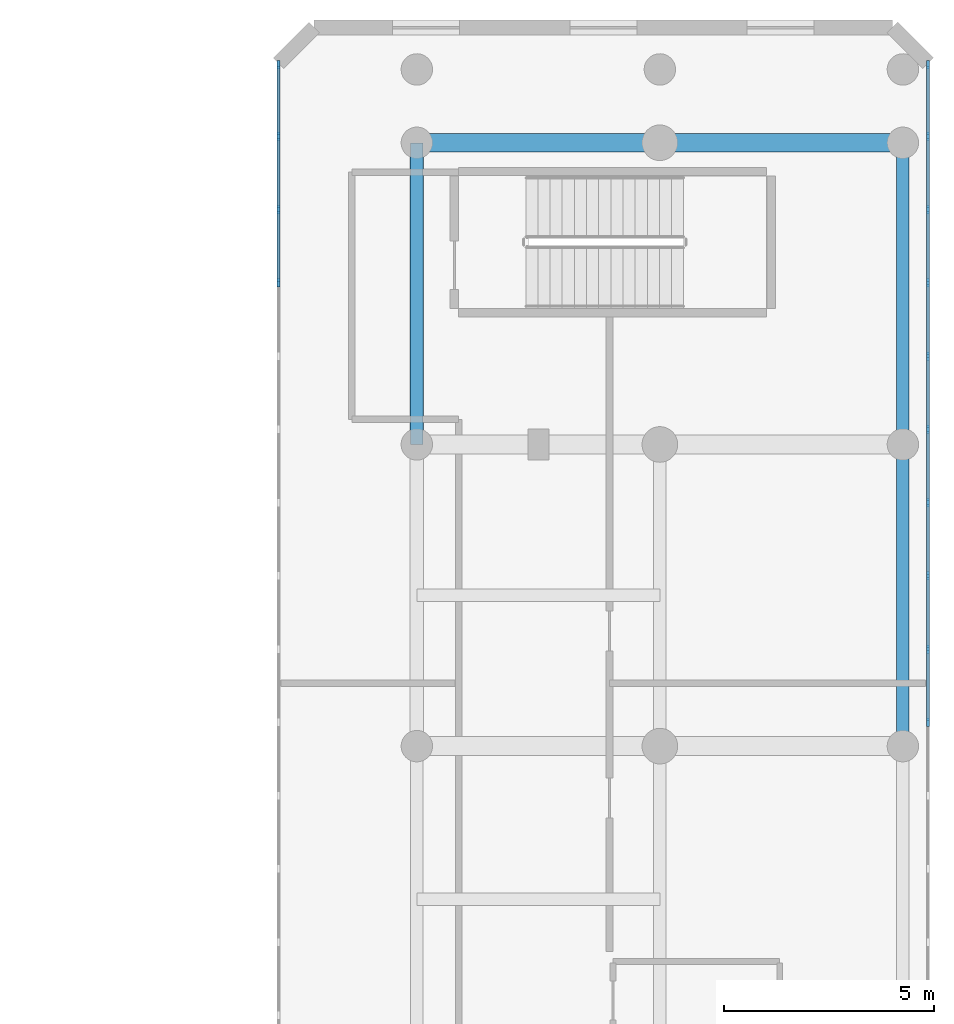
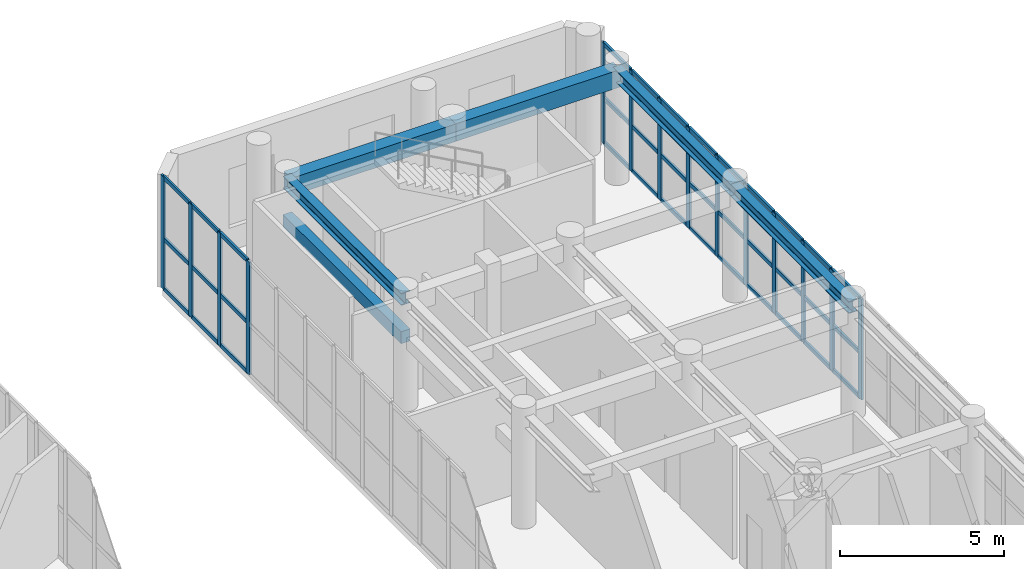
# One storey, part 9 of 26: 50 members, 6 beams, 2 elements without a shape of their own.
"""IFC4 building model written with IfcOpenShell, lengths in metres."""

from ifc_helpers import new_model, si_unit, direction, frame, origin, origin_with_axes, origin_2d, place, context, subcontext, project, spatial, rectangle, i_section, extrude, source, transform, mapped, material, layer, layer_set, material_profile, profile_set, type_object, element, aggregate, save


model = new_model("IFC4")

# Units and contexts
model_context = context("Model", 3, precision=1e-05, world=origin(), true_north=direction((0.0, 1.0)))
body_context = subcontext(model_context, "Body", "Model", "MODEL_VIEW")
ifc_project = project(units=[si_unit("LENGTHUNIT", "METRE"), si_unit("AREAUNIT", "SQUARE_METRE"), si_unit("VOLUMEUNIT", "CUBIC_METRE"), si_unit("PLANEANGLEUNIT", "RADIAN"), si_unit("MASSUNIT", "GRAM", prefix="KILO")], contexts=[model_context])

# Site, building, storey
site_placement = place(None, origin())
site = spatial("IfcSite", under=ifc_project, at=site_placement, CompositionType="ELEMENT")
building_placement = place(site_placement, origin())
building = spatial("IfcBuilding", under=site, at=building_placement, Name="Karkom Vertical University and Central Library", CompositionType="ELEMENT")
storey_placement = place(building_placement, frame((0.0, 0.0, 4.5)))
storey = spatial("IfcBuildingStorey", under=building, at=storey_placement, Name="L01", CompositionType="ELEMENT", Elevation=4.5)

# Beams
ifc_material_1 = material(Name="Concrete C40/50", Category="concrete")
ifc_material_profile_1 = material_profile(ifc_material_1, rectangle(XDim=0.449951171875, YDim=0.64990234375, at=origin_2d()), Name="RCB-450x650")
ifc_profile_set_1 = profile_set([ifc_material_profile_1], Name="Concrete C40/50")
beam_type_1 = type_object("IfcBeamType", Name="STR-BM-BG-4", PredefinedType="USERDEFINED", material=ifc_profile_set_1)
shared_shape_1 = source(origin_with_axes(), body_context, "Body", "SweptSolid", [
    extrude(rectangle(XDim=0.449951171875, YDim=0.64990234375, at=origin_2d()), origin(), (0.0, 0.0, 1.0), 5.7998046875),
])
beam_1_placement = place(storey_placement, frame((69.60009765625, 48.199951171875, 3.875), z_axis=(1.0, 0.0, 0.0), x_axis=(0.0, 1.0, 0.0)))
element("IfcBeam", 1, at=beam_1_placement, inside=storey, type_object=beam_type_1, Name="Level 01 Library Transverse Girder 7.1", ObjectType="GIRDER", PredefinedType="USERDEFINED", context=body_context, shape_type="MappedRepresentation", body=[
    mapped(shared_shape_1, transform((0.0, 0.0, 0.0), scale=1.0)),
])
shared_shape_2 = source(origin_with_axes(), body_context, "Body", "SweptSolid", [
    extrude(rectangle(XDim=0.449951171875, YDim=0.64990234375, at=origin_2d()), origin(), (0.0, 0.0, 1.0), 5.800048828125),
])
beam_2_placement = place(storey_placement, frame((75.39990234375, 48.199951171875, 3.875), z_axis=(1.0, 0.0, 0.0), x_axis=(0.0, 1.0, 0.0)))
element("IfcBeam", 2, at=beam_2_placement, inside=storey, type_object=beam_type_1, Name="Level 01 Library Transverse Girder 7.2", ObjectType="GIRDER", PredefinedType="USERDEFINED", context=body_context, shape_type="MappedRepresentation", body=[
    mapped(shared_shape_2, transform((0.0, 0.0, 0.0), scale=1.0)),
])
ifc_material_2 = material(Name="Steel S355", Category="steel")
ifc_material_profile_2 = material_profile(ifc_material_2, i_section(OverallWidth=0.300048828125, OverallDepth=0.449951171875, WebThickness=0.013916015625, FlangeThickness=0.02587890625, FilletRadius=0.027099609375, at=origin_2d()), Name="HE 450 B")
ifc_profile_set_2 = profile_set([ifc_material_profile_2], Name="Steel S355")
beam_type_2 = type_object("IfcBeamType", Name="STR-BM-SB-HE450", PredefinedType="BEAM", material=ifc_profile_set_2)
shared_shape_3 = source(origin_with_axes(), body_context, "Body", "SweptSolid", [
    extrude(i_section(OverallWidth=0.300048828125, OverallDepth=0.449951171875, WebThickness=0.013916015625, FlangeThickness=0.02587890625, FilletRadius=0.027099609375, at=origin_2d()), origin(), (0.0, 0.0, 1.0), 7.199951171875),
])
for number, where, z_axis, x_axis, name in (
    (3, (69.60009765625, 41.0, 3.97509765625), (0.0, 1.0, 0.0), (-1.0, 0.0, 0.0), "Level 01 Library Longitudinal Beam 1.6"),
    (4, (81.199951171875, 33.800048828125, 3.97509765625), (0.0, 1.0, 0.0), (-1.0, 0.0, 0.0), "Level 01 Library Longitudinal Beam 3.5"),
    (5, (81.199951171875, 41.0, 3.97509765625), (0.0, 1.0, 0.0), (-1.0, 0.0, 0.0), "Level 01 Library Longitudinal Beam 3.6"),
):
    element("IfcBeam", number, at=place(storey_placement, frame(where, z_axis=z_axis, x_axis=x_axis)), inside=storey, type_object=beam_type_2, Name=name, PredefinedType="BEAM", context=body_context, shape_type="MappedRepresentation", body=[
        mapped(shared_shape_3, transform((0.0, 0.0, 0.0), scale=1.0)),
    ])
ifc_material_3 = material(Name="Precast concrete C45/55", Category="concrete")
ifc_material_profile_3 = material_profile(ifc_material_3, rectangle(XDim=0.320068359375, YDim=0.449951171875, at=origin_2d()), Name="RCL-320x450")
ifc_profile_set_3 = profile_set([ifc_material_profile_3], Name="Precast concrete C45/55")
beam_type_3 = type_object("IfcBeamType", Name="STR-BM-LN-1", PredefinedType="LINTEL", material=ifc_profile_set_3)
shared_shape_4 = source(origin_with_axes(), body_context, "Body", "SweptSolid", [
    extrude(rectangle(XDim=0.320068359375, YDim=0.449951171875, at=origin_2d()), origin(), (0.0, 0.0, 1.0), 7.199951171875),
])
beam_3_placement = place(storey_placement, frame((69.60009765625, 41.0, 2.550048828125), z_axis=(0.0, 1.0, 0.0), x_axis=(-1.0, 0.0, 0.0)))
element("IfcBeam", 6, at=beam_3_placement, inside=storey, type_object=beam_type_3, Name="Level 01 Brutalist Concrete Portal Lintel 4", PredefinedType="LINTEL", context=body_context, shape_type="MappedRepresentation", body=[
    mapped(shared_shape_4, transform((0.0, 0.0, 0.0), scale=1.0)),
])

# Curtain wall, members
ifc_material_4 = material(Name="Aluminium curtain-wall framing and low-E IGU", Category="aluminium")
ifc_layer = layer(ifc_material_4, 0.199951171875)
ifc_layer_set = layer_set([ifc_layer], Name="Aluminium curtain-wall framing and low-E IGU")
curtain_wall_type = type_object("IfcCurtainWallType", Name="ENV-CW-1", PredefinedType="USERDEFINED", material=ifc_layer_set)
curtain_wall_1_placement = place(storey_placement, origin())
curtain_wall_1 = element("IfcCurtainWall", 7, at=curtain_wall_1_placement, inside=storey, type_object=curtain_wall_type, Name="Level 01 CW-1 Curtain Wall Level 01-CW-1-LIB-3", ObjectType="STICK MULLION GLAZING", PredefinedType="USERDEFINED")
ifc_material_5 = material(Name="Anodised Aluminium 6063-T6", Category="aluminium")
ifc_material_profile_4 = material_profile(ifc_material_5, rectangle(XDim=0.070068359375, YDim=0.199951171875, at=origin_2d()), Name="ALU-M70x200")
ifc_profile_set_4 = profile_set([ifc_material_profile_4], Name="Anodised Aluminium 6063-T6")
member_type_1 = type_object("IfcMemberType", Name="ENV-MEM-ALU-M70x200", PredefinedType="MULLION", material=ifc_profile_set_4)
shared_shape_5 = source(origin_with_axes(), body_context, "Body", "SweptSolid", [
    extrude(rectangle(XDim=0.070068359375, YDim=0.199951171875, at=origin_2d()), origin(), (0.0, 0.0, 1.0), 3.75),
])
member_1_placement = place(storey_placement, frame((81.800048828125, 34.36669921875, 0.0), z_axis=(0.0, 0.0, 1.0), x_axis=(-1.0, 0.0, 0.0)))
member_1 = element("IfcMember", 8, at=member_1_placement, type_object=member_type_1, Name="CW-1 mullion 19", PredefinedType="MULLION", context=body_context, shape_type="MappedRepresentation", body=[
    mapped(shared_shape_5, transform((0.0, 0.0, 0.0), scale=1.0)),
])
member_2_placement = place(storey_placement, frame((81.800048828125, 36.11474609375, 0.0), z_axis=(0.0, 0.0, 1.0), x_axis=(-1.0, 0.0, 0.0)))
member_2 = element("IfcMember", 9, at=member_2_placement, type_object=member_type_1, Name="CW-1 mullion 20", PredefinedType="MULLION", context=body_context, shape_type="MappedRepresentation", body=[
    mapped(shared_shape_5, transform((0.0, 0.0, 0.0), scale=1.0)),
])
member_3_placement = place(storey_placement, frame((81.800048828125, 37.863037109375, 0.0), z_axis=(0.0, 0.0, 1.0), x_axis=(-1.0, 0.0, 0.0)))
member_3 = element("IfcMember", 10, at=member_3_placement, type_object=member_type_1, Name="CW-1 mullion 21", PredefinedType="MULLION", context=body_context, shape_type="MappedRepresentation", body=[
    mapped(shared_shape_5, transform((0.0, 0.0, 0.0), scale=1.0)),
])
member_4_placement = place(storey_placement, frame((81.800048828125, 39.611083984375, 0.0), z_axis=(0.0, 0.0, 1.0), x_axis=(-1.0, 0.0, 0.0)))
member_4 = element("IfcMember", 11, at=member_4_placement, type_object=member_type_1, Name="CW-1 mullion 22", PredefinedType="MULLION", context=body_context, shape_type="MappedRepresentation", body=[
    mapped(shared_shape_5, transform((0.0, 0.0, 0.0), scale=1.0)),
])
member_5_placement = place(storey_placement, frame((81.800048828125, 41.359375, 0.0), z_axis=(0.0, 0.0, 1.0), x_axis=(-1.0, 0.0, 0.0)))
member_5 = element("IfcMember", 12, at=member_5_placement, type_object=member_type_1, Name="CW-1 mullion 23", PredefinedType="MULLION", context=body_context, shape_type="MappedRepresentation", body=[
    mapped(shared_shape_5, transform((0.0, 0.0, 0.0), scale=1.0)),
])
member_6_placement = place(storey_placement, frame((81.800048828125, 43.107421875, 0.0), z_axis=(0.0, 0.0, 1.0), x_axis=(-1.0, 0.0, 0.0)))
member_6 = element("IfcMember", 13, at=member_6_placement, type_object=member_type_1, Name="CW-1 mullion 24", PredefinedType="MULLION", context=body_context, shape_type="MappedRepresentation", body=[
    mapped(shared_shape_5, transform((0.0, 0.0, 0.0), scale=1.0)),
])
member_7_placement = place(storey_placement, frame((81.800048828125, 44.85546875, 0.0), z_axis=(0.0, 0.0, 1.0), x_axis=(-1.0, 0.0, 0.0)))
member_7 = element("IfcMember", 14, at=member_7_placement, type_object=member_type_1, Name="CW-1 mullion 25", PredefinedType="MULLION", context=body_context, shape_type="MappedRepresentation", body=[
    mapped(shared_shape_5, transform((0.0, 0.0, 0.0), scale=1.0)),
])
member_8_placement = place(storey_placement, frame((81.800048828125, 46.603759765625, 0.0), z_axis=(0.0, 0.0, 1.0), x_axis=(-1.0, 0.0, 0.0)))
member_8 = element("IfcMember", 15, at=member_8_placement, type_object=member_type_1, Name="CW-1 mullion 26", PredefinedType="MULLION", context=body_context, shape_type="MappedRepresentation", body=[
    mapped(shared_shape_5, transform((0.0, 0.0, 0.0), scale=1.0)),
])
member_9_placement = place(storey_placement, frame((81.800048828125, 48.351806640625, 0.0), z_axis=(0.0, 0.0, 1.0), x_axis=(-1.0, 0.0, 0.0)))
member_9 = element("IfcMember", 16, at=member_9_placement, type_object=member_type_1, Name="CW-1 mullion 27", PredefinedType="MULLION", context=body_context, shape_type="MappedRepresentation", body=[
    mapped(shared_shape_5, transform((0.0, 0.0, 0.0), scale=1.0)),
])
member_10_placement = place(storey_placement, frame((81.800048828125, 50.06494140625, 0.0), z_axis=(0.0, 0.0, 1.0), x_axis=(-1.0, 0.0, 0.0)))
member_10 = element("IfcMember", 17, at=member_10_placement, type_object=member_type_1, Name="CW-1 mullion 28", PredefinedType="MULLION", context=body_context, shape_type="MappedRepresentation", body=[
    mapped(shared_shape_5, transform((0.0, 0.0, 0.0), scale=1.0)),
])

curtain_wall_2_placement = place(storey_placement, origin())
curtain_wall_2 = element("IfcCurtainWall", 18, at=curtain_wall_2_placement, inside=storey, type_object=curtain_wall_type, Name="Level 01 CW-1 Curtain Wall Level 01-CW-1-LIB-7", ObjectType="STICK MULLION GLAZING", PredefinedType="USERDEFINED")
shared_shape_6 = source(origin_with_axes(), body_context, "Body", "SweptSolid", [
    extrude(rectangle(XDim=0.070068359375, YDim=0.199951171875, at=origin_2d()), origin(), (0.0, 0.0, 1.0), 4.199951171875),
])
member_11_placement = place(storey_placement, frame((66.300048828125, 50.06494140625, 0.0), z_axis=(0.0, 0.0, 1.0), x_axis=(1.0, 0.0, 0.0)))
member_11 = element("IfcMember", 19, at=member_11_placement, type_object=member_type_1, Name="CW-1 mullion 1", PredefinedType="MULLION", context=body_context, shape_type="MappedRepresentation", body=[
    mapped(shared_shape_6, transform((0.0, 0.0, 0.0), scale=1.0)),
])
member_12_placement = place(storey_placement, frame((66.300048828125, 48.351806640625, 0.0), z_axis=(0.0, 0.0, 1.0), x_axis=(1.0, 0.0, 0.0)))
member_12 = element("IfcMember", 20, at=member_12_placement, type_object=member_type_1, Name="CW-1 mullion 2", PredefinedType="MULLION", context=body_context, shape_type="MappedRepresentation", body=[
    mapped(shared_shape_6, transform((0.0, 0.0, 0.0), scale=1.0)),
])
member_13_placement = place(storey_placement, frame((66.300048828125, 46.603759765625, 0.0), z_axis=(0.0, 0.0, 1.0), x_axis=(1.0, 0.0, 0.0)))
member_13 = element("IfcMember", 21, at=member_13_placement, type_object=member_type_1, Name="CW-1 mullion 3", PredefinedType="MULLION", context=body_context, shape_type="MappedRepresentation", body=[
    mapped(shared_shape_6, transform((0.0, 0.0, 0.0), scale=1.0)),
])
member_14_placement = place(storey_placement, frame((66.300048828125, 44.85546875, 0.0), z_axis=(0.0, 0.0, 1.0), x_axis=(1.0, 0.0, 0.0)))
member_14 = element("IfcMember", 22, at=member_14_placement, type_object=member_type_1, Name="CW-1 mullion 4", PredefinedType="MULLION", context=body_context, shape_type="MappedRepresentation", body=[
    mapped(shared_shape_6, transform((0.0, 0.0, 0.0), scale=1.0)),
])

# Member
ifc_material_profile_5 = material_profile(ifc_material_5, rectangle(XDim=0.070068359375, YDim=0.14990234375, at=origin_2d()), Name="ALU-T70x150")
ifc_profile_set_5 = profile_set([ifc_material_profile_5], Name="Anodised Aluminium 6063-T6")
member_type_2 = type_object("IfcMemberType", Name="ENV-MEM-ALU-T70x150", PredefinedType="USERDEFINED", material=ifc_profile_set_5)
shared_shape_7 = source(origin_with_axes(), body_context, "Body", "SweptSolid", [
    extrude(rectangle(XDim=0.070068359375, YDim=0.14990234375, at=origin_2d()), origin(), (0.0, 0.0, 1.0), 1.64306640625),
])
member_15_placement = place(storey_placement, frame((81.800048828125, 48.386962890625, 0.034912109375), z_axis=(0.0, 1.0, 0.0), x_axis=(-1.0, 0.0, 0.0)))
member_15 = element("IfcMember", 23, at=member_15_placement, type_object=member_type_2, Name="CW-1 transom 27.1", ObjectType="TRANSOM", PredefinedType="USERDEFINED", context=body_context, shape_type="MappedRepresentation", body=[
    mapped(shared_shape_7, transform((0.0, 0.0, 0.0), scale=1.0)),
])

member_16_placement = place(storey_placement, frame((81.800048828125, 48.386962890625, 1.6875), z_axis=(0.0, 1.0, 0.0), x_axis=(-1.0, 0.0, 0.0)))
member_16 = element("IfcMember", 24, at=member_16_placement, type_object=member_type_2, Name="CW-1 transom 27.2", ObjectType="TRANSOM", PredefinedType="USERDEFINED", context=body_context, shape_type="MappedRepresentation", body=[
    mapped(shared_shape_7, transform((0.0, 0.0, 0.0), scale=1.0)),
])

member_17_placement = place(storey_placement, frame((81.800048828125, 48.386962890625, 3.715087890625), z_axis=(0.0, 1.0, 0.0), x_axis=(-1.0, 0.0, 0.0)))
member_17 = element("IfcMember", 25, at=member_17_placement, type_object=member_type_2, Name="CW-1 transom 27.3", ObjectType="TRANSOM", PredefinedType="USERDEFINED", context=body_context, shape_type="MappedRepresentation", body=[
    mapped(shared_shape_7, transform((0.0, 0.0, 0.0), scale=1.0)),
])

member_18_placement = place(storey_placement, frame((66.300048828125, 50.030029296875, 0.034912109375), z_axis=(0.0, -1.0, 0.0), x_axis=(1.0, 0.0, 0.0)))
member_18 = element("IfcMember", 26, at=member_18_placement, type_object=member_type_2, Name="CW-1 transom 1.1", ObjectType="TRANSOM", PredefinedType="USERDEFINED", context=body_context, shape_type="MappedRepresentation", body=[
    mapped(shared_shape_7, transform((0.0, 0.0, 0.0), scale=1.0)),
])

member_19_placement = place(storey_placement, frame((66.300048828125, 50.030029296875, 1.889892578125), z_axis=(0.0, -1.0, 0.0), x_axis=(1.0, 0.0, 0.0)))
member_19 = element("IfcMember", 27, at=member_19_placement, type_object=member_type_2, Name="CW-1 transom 1.2", ObjectType="TRANSOM", PredefinedType="USERDEFINED", context=body_context, shape_type="MappedRepresentation", body=[
    mapped(shared_shape_7, transform((0.0, 0.0, 0.0), scale=1.0)),
])

member_20_placement = place(storey_placement, frame((66.300048828125, 50.030029296875, 4.1650390625), z_axis=(0.0, -1.0, 0.0), x_axis=(1.0, 0.0, 0.0)))
member_20 = element("IfcMember", 28, at=member_20_placement, type_object=member_type_2, Name="CW-1 transom 1.3", ObjectType="TRANSOM", PredefinedType="USERDEFINED", context=body_context, shape_type="MappedRepresentation", body=[
    mapped(shared_shape_7, transform((0.0, 0.0, 0.0), scale=1.0)),
])

shared_shape_8 = source(origin_with_axes(), body_context, "Body", "SweptSolid", [
    extrude(rectangle(XDim=0.070068359375, YDim=0.14990234375, at=origin_2d()), origin(), (0.0, 0.0, 1.0), 1.67822265625),
])
member_21_placement = place(storey_placement, frame((81.800048828125, 34.401611328125, 0.034912109375), z_axis=(0.0, 1.0, 0.0), x_axis=(-1.0, 0.0, 0.0)))
member_21 = element("IfcMember", 29, at=member_21_placement, type_object=member_type_2, Name="CW-1 transom 19.1", ObjectType="TRANSOM", PredefinedType="USERDEFINED", context=body_context, shape_type="MappedRepresentation", body=[
    mapped(shared_shape_8, transform((0.0, 0.0, 0.0), scale=1.0)),
])

member_22_placement = place(storey_placement, frame((81.800048828125, 34.401611328125, 1.6875), z_axis=(0.0, 1.0, 0.0), x_axis=(-1.0, 0.0, 0.0)))
member_22 = element("IfcMember", 30, at=member_22_placement, type_object=member_type_2, Name="CW-1 transom 19.2", ObjectType="TRANSOM", PredefinedType="USERDEFINED", context=body_context, shape_type="MappedRepresentation", body=[
    mapped(shared_shape_8, transform((0.0, 0.0, 0.0), scale=1.0)),
])

member_23_placement = place(storey_placement, frame((81.800048828125, 34.401611328125, 3.715087890625), z_axis=(0.0, 1.0, 0.0), x_axis=(-1.0, 0.0, 0.0)))
member_23 = element("IfcMember", 31, at=member_23_placement, type_object=member_type_2, Name="CW-1 transom 19.3", ObjectType="TRANSOM", PredefinedType="USERDEFINED", context=body_context, shape_type="MappedRepresentation", body=[
    mapped(shared_shape_8, transform((0.0, 0.0, 0.0), scale=1.0)),
])

member_24_placement = place(storey_placement, frame((81.800048828125, 37.89794921875, 0.034912109375), z_axis=(0.0, 1.0, 0.0), x_axis=(-1.0, 0.0, 0.0)))
member_24 = element("IfcMember", 32, at=member_24_placement, type_object=member_type_2, Name="CW-1 transom 21.1", ObjectType="TRANSOM", PredefinedType="USERDEFINED", context=body_context, shape_type="MappedRepresentation", body=[
    mapped(shared_shape_8, transform((0.0, 0.0, 0.0), scale=1.0)),
])

member_25_placement = place(storey_placement, frame((81.800048828125, 37.89794921875, 1.6875), z_axis=(0.0, 1.0, 0.0), x_axis=(-1.0, 0.0, 0.0)))
member_25 = element("IfcMember", 33, at=member_25_placement, type_object=member_type_2, Name="CW-1 transom 21.2", ObjectType="TRANSOM", PredefinedType="USERDEFINED", context=body_context, shape_type="MappedRepresentation", body=[
    mapped(shared_shape_8, transform((0.0, 0.0, 0.0), scale=1.0)),
])

member_26_placement = place(storey_placement, frame((81.800048828125, 37.89794921875, 3.715087890625), z_axis=(0.0, 1.0, 0.0), x_axis=(-1.0, 0.0, 0.0)))
member_26 = element("IfcMember", 34, at=member_26_placement, type_object=member_type_2, Name="CW-1 transom 21.3", ObjectType="TRANSOM", PredefinedType="USERDEFINED", context=body_context, shape_type="MappedRepresentation", body=[
    mapped(shared_shape_8, transform((0.0, 0.0, 0.0), scale=1.0)),
])

member_27_placement = place(storey_placement, frame((81.800048828125, 39.64599609375, 0.034912109375), z_axis=(0.0, 1.0, 0.0), x_axis=(-1.0, 0.0, 0.0)))
member_27 = element("IfcMember", 35, at=member_27_placement, type_object=member_type_2, Name="CW-1 transom 22.1", ObjectType="TRANSOM", PredefinedType="USERDEFINED", context=body_context, shape_type="MappedRepresentation", body=[
    mapped(shared_shape_8, transform((0.0, 0.0, 0.0), scale=1.0)),
])

member_28_placement = place(storey_placement, frame((81.800048828125, 39.64599609375, 1.6875), z_axis=(0.0, 1.0, 0.0), x_axis=(-1.0, 0.0, 0.0)))
member_28 = element("IfcMember", 36, at=member_28_placement, type_object=member_type_2, Name="CW-1 transom 22.2", ObjectType="TRANSOM", PredefinedType="USERDEFINED", context=body_context, shape_type="MappedRepresentation", body=[
    mapped(shared_shape_8, transform((0.0, 0.0, 0.0), scale=1.0)),
])

member_29_placement = place(storey_placement, frame((81.800048828125, 39.64599609375, 3.715087890625), z_axis=(0.0, 1.0, 0.0), x_axis=(-1.0, 0.0, 0.0)))
member_29 = element("IfcMember", 37, at=member_29_placement, type_object=member_type_2, Name="CW-1 transom 22.3", ObjectType="TRANSOM", PredefinedType="USERDEFINED", context=body_context, shape_type="MappedRepresentation", body=[
    mapped(shared_shape_8, transform((0.0, 0.0, 0.0), scale=1.0)),
])

member_30_placement = place(storey_placement, frame((81.800048828125, 41.394287109375, 0.034912109375), z_axis=(0.0, 1.0, 0.0), x_axis=(-1.0, 0.0, 0.0)))
member_30 = element("IfcMember", 38, at=member_30_placement, type_object=member_type_2, Name="CW-1 transom 23.1", ObjectType="TRANSOM", PredefinedType="USERDEFINED", context=body_context, shape_type="MappedRepresentation", body=[
    mapped(shared_shape_8, transform((0.0, 0.0, 0.0), scale=1.0)),
])

member_31_placement = place(storey_placement, frame((81.800048828125, 41.394287109375, 1.6875), z_axis=(0.0, 1.0, 0.0), x_axis=(-1.0, 0.0, 0.0)))
member_31 = element("IfcMember", 39, at=member_31_placement, type_object=member_type_2, Name="CW-1 transom 23.2", ObjectType="TRANSOM", PredefinedType="USERDEFINED", context=body_context, shape_type="MappedRepresentation", body=[
    mapped(shared_shape_8, transform((0.0, 0.0, 0.0), scale=1.0)),
])

member_32_placement = place(storey_placement, frame((81.800048828125, 41.394287109375, 3.715087890625), z_axis=(0.0, 1.0, 0.0), x_axis=(-1.0, 0.0, 0.0)))
member_32 = element("IfcMember", 40, at=member_32_placement, type_object=member_type_2, Name="CW-1 transom 23.3", ObjectType="TRANSOM", PredefinedType="USERDEFINED", context=body_context, shape_type="MappedRepresentation", body=[
    mapped(shared_shape_8, transform((0.0, 0.0, 0.0), scale=1.0)),
])

member_33_placement = place(storey_placement, frame((81.800048828125, 43.142333984375, 0.034912109375), z_axis=(0.0, 1.0, 0.0), x_axis=(-1.0, 0.0, 0.0)))
member_33 = element("IfcMember", 41, at=member_33_placement, type_object=member_type_2, Name="CW-1 transom 24.1", ObjectType="TRANSOM", PredefinedType="USERDEFINED", context=body_context, shape_type="MappedRepresentation", body=[
    mapped(shared_shape_8, transform((0.0, 0.0, 0.0), scale=1.0)),
])

member_34_placement = place(storey_placement, frame((81.800048828125, 43.142333984375, 1.6875), z_axis=(0.0, 1.0, 0.0), x_axis=(-1.0, 0.0, 0.0)))
member_34 = element("IfcMember", 42, at=member_34_placement, type_object=member_type_2, Name="CW-1 transom 24.2", ObjectType="TRANSOM", PredefinedType="USERDEFINED", context=body_context, shape_type="MappedRepresentation", body=[
    mapped(shared_shape_8, transform((0.0, 0.0, 0.0), scale=1.0)),
])

member_35_placement = place(storey_placement, frame((81.800048828125, 43.142333984375, 3.715087890625), z_axis=(0.0, 1.0, 0.0), x_axis=(-1.0, 0.0, 0.0)))
member_35 = element("IfcMember", 43, at=member_35_placement, type_object=member_type_2, Name="CW-1 transom 24.3", ObjectType="TRANSOM", PredefinedType="USERDEFINED", context=body_context, shape_type="MappedRepresentation", body=[
    mapped(shared_shape_8, transform((0.0, 0.0, 0.0), scale=1.0)),
])

member_36_placement = place(storey_placement, frame((81.800048828125, 46.638671875, 0.034912109375), z_axis=(0.0, 1.0, 0.0), x_axis=(-1.0, 0.0, 0.0)))
member_36 = element("IfcMember", 44, at=member_36_placement, type_object=member_type_2, Name="CW-1 transom 26.1", ObjectType="TRANSOM", PredefinedType="USERDEFINED", context=body_context, shape_type="MappedRepresentation", body=[
    mapped(shared_shape_8, transform((0.0, 0.0, 0.0), scale=1.0)),
])

member_37_placement = place(storey_placement, frame((81.800048828125, 46.638671875, 1.6875), z_axis=(0.0, 1.0, 0.0), x_axis=(-1.0, 0.0, 0.0)))
member_37 = element("IfcMember", 45, at=member_37_placement, type_object=member_type_2, Name="CW-1 transom 26.2", ObjectType="TRANSOM", PredefinedType="USERDEFINED", context=body_context, shape_type="MappedRepresentation", body=[
    mapped(shared_shape_8, transform((0.0, 0.0, 0.0), scale=1.0)),
])

member_38_placement = place(storey_placement, frame((81.800048828125, 46.638671875, 3.715087890625), z_axis=(0.0, 1.0, 0.0), x_axis=(-1.0, 0.0, 0.0)))
member_38 = element("IfcMember", 46, at=member_38_placement, type_object=member_type_2, Name="CW-1 transom 26.3", ObjectType="TRANSOM", PredefinedType="USERDEFINED", context=body_context, shape_type="MappedRepresentation", body=[
    mapped(shared_shape_8, transform((0.0, 0.0, 0.0), scale=1.0)),
])

member_39_placement = place(storey_placement, frame((66.300048828125, 48.31689453125, 0.034912109375), z_axis=(0.0, -1.0, 0.0), x_axis=(1.0, 0.0, 0.0)))
member_39 = element("IfcMember", 47, at=member_39_placement, type_object=member_type_2, Name="CW-1 transom 2.1", ObjectType="TRANSOM", PredefinedType="USERDEFINED", context=body_context, shape_type="MappedRepresentation", body=[
    mapped(shared_shape_8, transform((0.0, 0.0, 0.0), scale=1.0)),
])

member_40_placement = place(storey_placement, frame((66.300048828125, 48.31689453125, 1.889892578125), z_axis=(0.0, -1.0, 0.0), x_axis=(1.0, 0.0, 0.0)))
member_40 = element("IfcMember", 48, at=member_40_placement, type_object=member_type_2, Name="CW-1 transom 2.2", ObjectType="TRANSOM", PredefinedType="USERDEFINED", context=body_context, shape_type="MappedRepresentation", body=[
    mapped(shared_shape_8, transform((0.0, 0.0, 0.0), scale=1.0)),
])

member_41_placement = place(storey_placement, frame((66.300048828125, 48.31689453125, 4.1650390625), z_axis=(0.0, -1.0, 0.0), x_axis=(1.0, 0.0, 0.0)))
member_41 = element("IfcMember", 49, at=member_41_placement, type_object=member_type_2, Name="CW-1 transom 2.3", ObjectType="TRANSOM", PredefinedType="USERDEFINED", context=body_context, shape_type="MappedRepresentation", body=[
    mapped(shared_shape_8, transform((0.0, 0.0, 0.0), scale=1.0)),
])

shared_shape_9 = source(origin_with_axes(), body_context, "Body", "SweptSolid", [
    extrude(rectangle(XDim=0.070068359375, YDim=0.14990234375, at=origin_2d()), origin(), (0.0, 0.0, 1.0), 1.677978515625),
])
member_42_placement = place(storey_placement, frame((81.800048828125, 36.14990234375, 0.034912109375), z_axis=(0.0, 1.0, 0.0), x_axis=(-1.0, 0.0, 0.0)))
member_42 = element("IfcMember", 50, at=member_42_placement, type_object=member_type_2, Name="CW-1 transom 20.1", ObjectType="TRANSOM", PredefinedType="USERDEFINED", context=body_context, shape_type="MappedRepresentation", body=[
    mapped(shared_shape_9, transform((0.0, 0.0, 0.0), scale=1.0)),
])

member_43_placement = place(storey_placement, frame((81.800048828125, 36.14990234375, 1.6875), z_axis=(0.0, 1.0, 0.0), x_axis=(-1.0, 0.0, 0.0)))
member_43 = element("IfcMember", 51, at=member_43_placement, type_object=member_type_2, Name="CW-1 transom 20.2", ObjectType="TRANSOM", PredefinedType="USERDEFINED", context=body_context, shape_type="MappedRepresentation", body=[
    mapped(shared_shape_9, transform((0.0, 0.0, 0.0), scale=1.0)),
])

member_44_placement = place(storey_placement, frame((81.800048828125, 36.14990234375, 3.715087890625), z_axis=(0.0, 1.0, 0.0), x_axis=(-1.0, 0.0, 0.0)))
member_44 = element("IfcMember", 52, at=member_44_placement, type_object=member_type_2, Name="CW-1 transom 20.3", ObjectType="TRANSOM", PredefinedType="USERDEFINED", context=body_context, shape_type="MappedRepresentation", body=[
    mapped(shared_shape_9, transform((0.0, 0.0, 0.0), scale=1.0)),
])

member_45_placement = place(storey_placement, frame((81.800048828125, 44.890625, 0.034912109375), z_axis=(0.0, 1.0, 0.0), x_axis=(-1.0, 0.0, 0.0)))
member_45 = element("IfcMember", 53, at=member_45_placement, type_object=member_type_2, Name="CW-1 transom 25.1", ObjectType="TRANSOM", PredefinedType="USERDEFINED", context=body_context, shape_type="MappedRepresentation", body=[
    mapped(shared_shape_9, transform((0.0, 0.0, 0.0), scale=1.0)),
])

member_46_placement = place(storey_placement, frame((81.800048828125, 44.890625, 1.6875), z_axis=(0.0, 1.0, 0.0), x_axis=(-1.0, 0.0, 0.0)))
member_46 = element("IfcMember", 54, at=member_46_placement, type_object=member_type_2, Name="CW-1 transom 25.2", ObjectType="TRANSOM", PredefinedType="USERDEFINED", context=body_context, shape_type="MappedRepresentation", body=[
    mapped(shared_shape_9, transform((0.0, 0.0, 0.0), scale=1.0)),
])

member_47_placement = place(storey_placement, frame((81.800048828125, 44.890625, 3.715087890625), z_axis=(0.0, 1.0, 0.0), x_axis=(-1.0, 0.0, 0.0)))
member_47 = element("IfcMember", 55, at=member_47_placement, type_object=member_type_2, Name="CW-1 transom 25.3", ObjectType="TRANSOM", PredefinedType="USERDEFINED", context=body_context, shape_type="MappedRepresentation", body=[
    mapped(shared_shape_9, transform((0.0, 0.0, 0.0), scale=1.0)),
])

aggregate(curtain_wall_1, [member_1, member_2, member_3, member_4, member_5, member_6, member_7, member_8, member_9, member_10, member_21, member_22, member_23, member_42, member_43, member_44, member_24, member_25, member_26, member_27, member_28, member_29, member_30, member_31, member_32, member_33, member_34, member_35, member_45, member_46, member_47, member_36, member_37, member_38, member_15, member_16, member_17])

member_48_placement = place(storey_placement, frame((66.300048828125, 46.568603515625, 0.034912109375), z_axis=(0.0, -1.0, 0.0), x_axis=(1.0, 0.0, 0.0)))
member_48 = element("IfcMember", 56, at=member_48_placement, type_object=member_type_2, Name="CW-1 transom 3.1", ObjectType="TRANSOM", PredefinedType="USERDEFINED", context=body_context, shape_type="MappedRepresentation", body=[
    mapped(shared_shape_9, transform((0.0, 0.0, 0.0), scale=1.0)),
])

member_49_placement = place(storey_placement, frame((66.300048828125, 46.568603515625, 1.889892578125), z_axis=(0.0, -1.0, 0.0), x_axis=(1.0, 0.0, 0.0)))
member_49 = element("IfcMember", 57, at=member_49_placement, type_object=member_type_2, Name="CW-1 transom 3.2", ObjectType="TRANSOM", PredefinedType="USERDEFINED", context=body_context, shape_type="MappedRepresentation", body=[
    mapped(shared_shape_9, transform((0.0, 0.0, 0.0), scale=1.0)),
])

member_50_placement = place(storey_placement, frame((66.300048828125, 46.568603515625, 4.1650390625), z_axis=(0.0, -1.0, 0.0), x_axis=(1.0, 0.0, 0.0)))
member_50 = element("IfcMember", 58, at=member_50_placement, type_object=member_type_2, Name="CW-1 transom 3.3", ObjectType="TRANSOM", PredefinedType="USERDEFINED", context=body_context, shape_type="MappedRepresentation", body=[
    mapped(shared_shape_9, transform((0.0, 0.0, 0.0), scale=1.0)),
])

aggregate(curtain_wall_2, [member_11, member_12, member_13, member_14, member_18, member_19, member_20, member_39, member_40, member_41, member_48, member_49, member_50])

save(model, "model.ifc")
